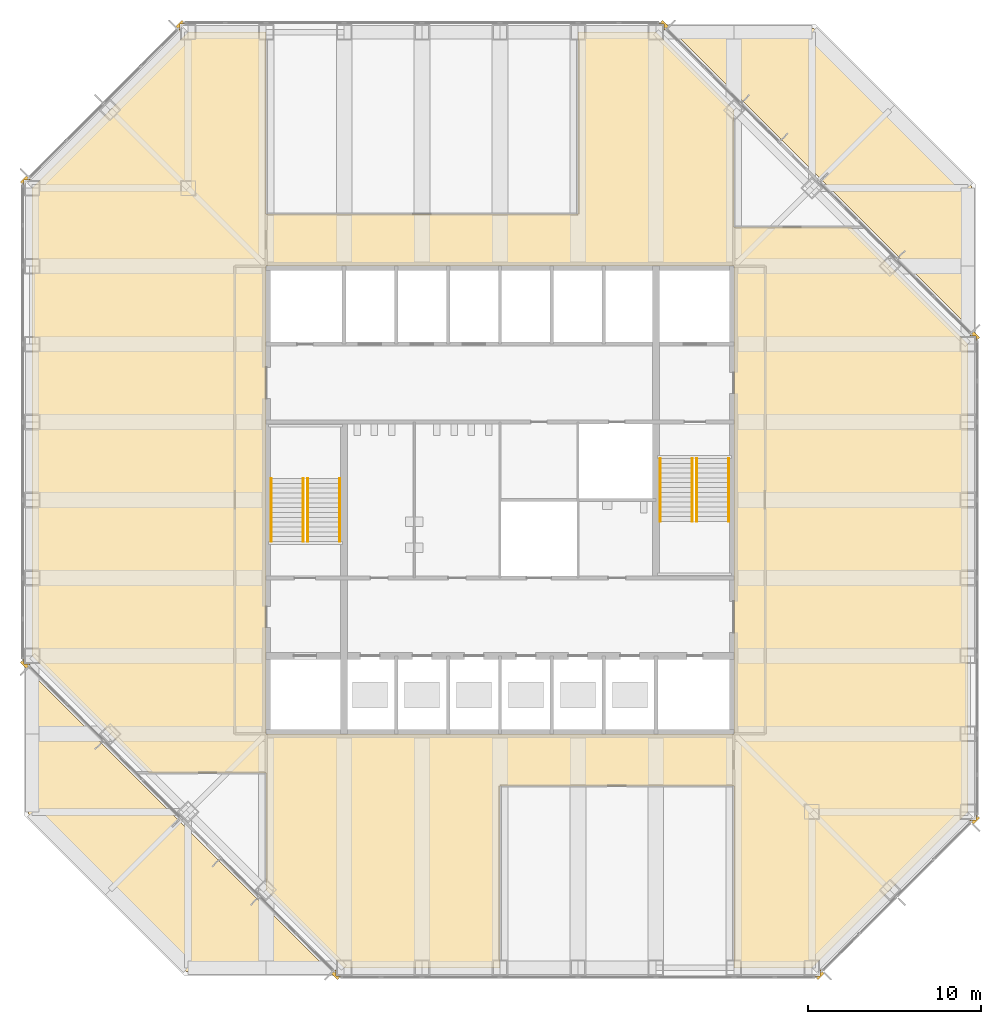
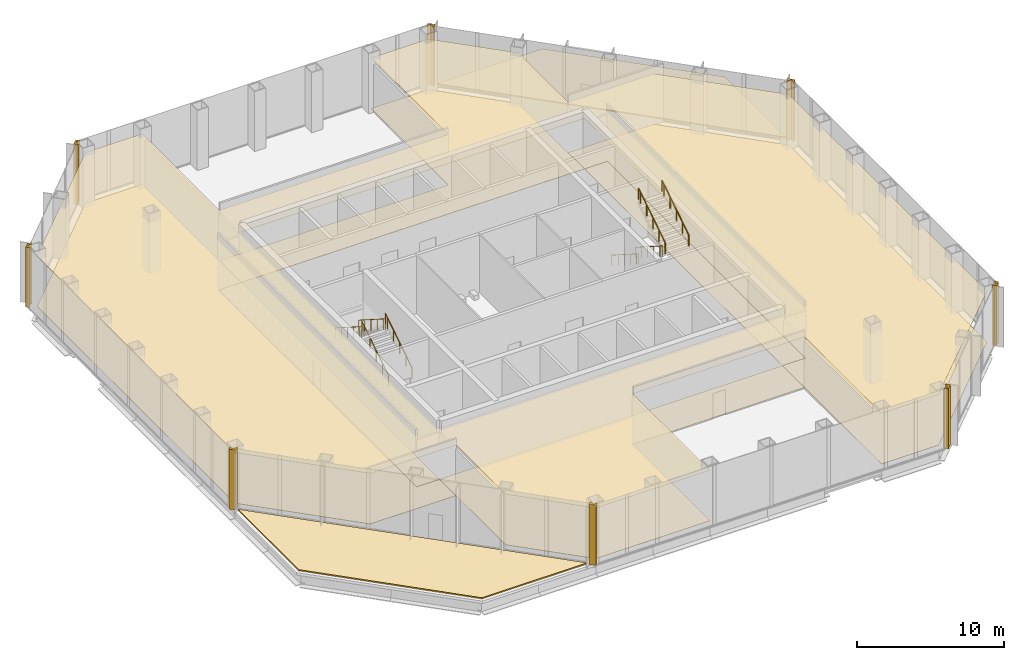
# One storey, part 10 of 12: 17 coverings, 8 railings.
"""IFC4 building model written with IfcOpenShell, lengths in metres."""

from ifc_helpers import new_model, si_unit, direction, frame, origin, origin_2d, place, context, subcontext, project, spatial, polyline, circle, outline, extrude, material, layer, layer_set, type_object, element, save


model = new_model("IFC4")

# Units and contexts
model_context = context("Model", 3, precision=1e-05, world=origin(), true_north=direction((0.0, 1.0)))
body_context = subcontext(model_context, "Body", "Model", "MODEL_VIEW")
ifc_project = project(units=[si_unit("LENGTHUNIT", "METRE"), si_unit("AREAUNIT", "SQUARE_METRE"), si_unit("VOLUMEUNIT", "CUBIC_METRE"), si_unit("PLANEANGLEUNIT", "RADIAN"), si_unit("MASSUNIT", "GRAM", prefix="KILO")], contexts=[model_context])

# Site, building, storey
site_placement = place(None, origin())
site = spatial("IfcSite", under=ifc_project, at=site_placement, CompositionType="ELEMENT")
building_placement = place(site_placement, origin())
building = spatial("IfcBuilding", under=site, at=building_placement, Name="Corais Broadcast Tower", CompositionType="ELEMENT")
storey_placement = place(building_placement, frame((0.0, 0.0, 110.60009765625)))
storey = spatial("IfcBuildingStorey", under=building, at=storey_placement, Name="L24", CompositionType="ELEMENT", Elevation=110.60009765625)

# Railings
ifc_material_1 = material(Name="Stainless steel handrail", Category="steel")
railing_type = type_object("IfcRailingType", Name="Handrail 920", PredefinedType="HANDRAIL", material=ifc_material_1)
for number, where, name in (
    (1, (17.75, 24.60009765625, 0.178466796875), "HR1 L24"),
    (2, (15.89990234375, 24.60009765625, 0.178466796875), "HR1 L24"),
):
    element("IfcRailing", number, at=place(storey_placement, frame(where)), inside=storey, type_object=railing_type, Name=name, PredefinedType="HANDRAIL", context=body_context, shape_type="SweptSolid", body=[
        extrude(circle(Radius=0.02392578125, at=origin_2d()), frame((0.0, 0.0, 0.89599609375), z_axis=(0.0, 0.843111507901, 0.53773877045), x_axis=(-1.0, 0.0, 0.0)), (0.0, 0.0, 1.0), 4.317138671875),
        extrude(circle(Radius=0.02099609375, at=origin_2d()), origin(), (0.0, 0.0, 1.0), 0.871826171875),
        extrude(circle(Radius=0.02099609375, at=origin_2d()), frame((0.0, 0.840087890625, 0.53564453125)), (0.0, 0.0, 1.0), 0.871826171875),
        extrude(circle(Radius=0.02099609375, at=origin_2d()), frame((0.0, 1.679931640625, 1.071533203125)), (0.0, 0.0, 1.0), 0.871826171875),
        extrude(circle(Radius=0.02099609375, at=origin_2d()), frame((0.0, 2.52001953125, 1.607177734375)), (0.0, 0.0, 1.0), 0.871826171875),
        extrude(circle(Radius=0.02099609375, at=origin_2d()), frame((0.0, 3.35986328125, 2.14306640625)), (0.0, 0.0, 1.0), 0.871826171875),
        extrude(circle(Radius=0.02099609375, at=origin_2d()), frame((0.0, 3.639892578125, 2.321533203125)), (0.0, 0.0, 1.0), 0.871826171875),
    ])
for number, where, name in (
    (3, (13.800048828125, 28.239990234375, 2.678466796875), "HR1 L24"),
    (4, (15.64990234375, 28.239990234375, 2.678466796875), "HR1 L24"),
    (5, (36.25, 29.39990234375, 0.178466796875), "HR1 L24"),
    (6, (38.10009765625, 29.39990234375, 0.178466796875), "HR1 L24"),
):
    element("IfcRailing", number, at=place(storey_placement, frame(where)), inside=storey, type_object=railing_type, Name=name, PredefinedType="HANDRAIL", context=body_context, shape_type="SweptSolid", body=[
        extrude(circle(Radius=0.02392578125, at=origin_2d()), frame((0.0, 0.0, 0.89599609375), z_axis=(0.0, -0.843111507901, 0.53773877045), x_axis=(1.0, 0.0, 0.0)), (0.0, 0.0, 1.0), 4.317138671875),
        extrude(circle(Radius=0.02099609375, at=origin_2d()), origin(), (0.0, 0.0, 1.0), 0.871826171875),
        extrude(circle(Radius=0.02099609375, at=origin_2d()), frame((0.0, -0.840087890625, 0.53564453125)), (0.0, 0.0, 1.0), 0.871826171875),
        extrude(circle(Radius=0.02099609375, at=origin_2d()), frame((0.0, -1.679931640625, 1.071533203125)), (0.0, 0.0, 1.0), 0.871826171875),
        extrude(circle(Radius=0.02099609375, at=origin_2d()), frame((0.0, -2.52001953125, 1.607177734375)), (0.0, 0.0, 1.0), 0.871826171875),
        extrude(circle(Radius=0.02099609375, at=origin_2d()), frame((0.0, -3.35986328125, 2.14306640625)), (0.0, 0.0, 1.0), 0.871826171875),
        extrude(circle(Radius=0.02099609375, at=origin_2d()), frame((0.0, -3.639892578125, 2.321533203125)), (0.0, 0.0, 1.0), 0.871826171875),
    ])
for number, where, name in (
    (7, (40.199951171875, 25.760009765625, 2.678466796875), "HR1 L24"),
    (8, (38.35009765625, 25.760009765625, 2.678466796875), "HR1 L24"),
):
    element("IfcRailing", number, at=place(storey_placement, frame(where)), inside=storey, type_object=railing_type, Name=name, PredefinedType="HANDRAIL", context=body_context, shape_type="SweptSolid", body=[
        extrude(circle(Radius=0.02392578125, at=origin_2d()), frame((0.0, 0.0, 0.89599609375), z_axis=(0.0, 0.843111507901, 0.53773877045), x_axis=(-1.0, 0.0, 0.0)), (0.0, 0.0, 1.0), 4.317138671875),
        extrude(circle(Radius=0.02099609375, at=origin_2d()), origin(), (0.0, 0.0, 1.0), 0.871826171875),
        extrude(circle(Radius=0.02099609375, at=origin_2d()), frame((0.0, 0.840087890625, 0.53564453125)), (0.0, 0.0, 1.0), 0.871826171875),
        extrude(circle(Radius=0.02099609375, at=origin_2d()), frame((0.0, 1.679931640625, 1.071533203125)), (0.0, 0.0, 1.0), 0.871826171875),
        extrude(circle(Radius=0.02099609375, at=origin_2d()), frame((0.0, 2.52001953125, 1.607177734375)), (0.0, 0.0, 1.0), 0.871826171875),
        extrude(circle(Radius=0.02099609375, at=origin_2d()), frame((0.0, 3.35986328125, 2.14306640625)), (0.0, 0.0, 1.0), 0.871826171875),
        extrude(circle(Radius=0.02099609375, at=origin_2d()), frame((0.0, 3.639892578125, 2.321533203125)), (0.0, 0.0, 1.0), 0.871826171875),
    ])

# Coverings
ifc_material_2 = material(Name="Bituminous waterproofing membrane, rigid insulation and paving", Category="bitumen")
ifc_layer_1 = layer(ifc_material_2, 0.10009765625)
ifc_layer_set_1 = layer_set([ifc_layer_1], Name="Bituminous waterproofing membrane, rigid insulation and paving")
covering_type_1 = type_object("IfcCoveringType", Name="Roofing membrane and paving 100", PredefinedType="ROOFING", material=ifc_layer_set_1)
covering_1_placement = place(storey_placement, origin())
element("IfcCovering", 9, at=covering_1_placement, inside=storey, type_object=covering_type_1, Name="RM1 roofing over L23 1, maintenance access only", PredefinedType="ROOFING", context=body_context, shape_type="SweptSolid", body=[
    extrude(outline(polyline([(-0.22998046875, 8.90478515625), (-0.22998046875, 17.197509765625), (17.197509765625, -0.22998046875), (8.90478515625, -0.22998046875), (-0.22998046875, 8.90478515625)])), origin(), (0.0, 0.0, 1.0), 0.099853515625),
])
covering_2_placement = place(storey_placement, origin())
element("IfcCovering", 10, at=covering_2_placement, inside=storey, type_object=covering_type_1, Name="RM1 roofing over L23 2, maintenance access only", PredefinedType="ROOFING", context=body_context, shape_type="SweptSolid", body=[
    extrude(outline(polyline([(45.09521484375, 54.22998046875), (54.22998046875, 45.09521484375), (54.22998046875, 36.802490234375), (36.802490234375, 54.22998046875), (45.09521484375, 54.22998046875)])), origin(), (0.0, 0.0, 1.0), 0.099853515625),
])
ifc_material_3 = material(Name="Granite stone cladding", Category="masonry")
ifc_layer_2 = layer(ifc_material_3, 0.324951171875)
ifc_layer_set_2 = layer_set([ifc_layer_2], Name="Granite stone cladding")
covering_type_2 = type_object("IfcCoveringType", Name="Stone corner pier cladding 500x325", PredefinedType="CLADDING", material=ifc_layer_set_2)
covering_3_placement = place(storey_placement, origin())
element("IfcCovering", 11, at=covering_3_placement, inside=storey, type_object=covering_type_2, Name="SP1 stone corner pier L24", PredefinedType="CLADDING", context=body_context, shape_type="SweptSolid", body=[
    extrude(outline(polyline([(17.630859375, -0.69140625), (17.84716796875, -0.47509765625), (17.52490234375, -0.47509765625), (17.52490234375, -0.1259765625), (17.507080078125, -0.108154296875), (17.277099609375, -0.337890625), (17.630859375, -0.69140625)])), origin(), (0.0, 0.0, 1.0), 5.0),
])
covering_4_placement = place(storey_placement, origin())
element("IfcCovering", 12, at=covering_4_placement, inside=storey, type_object=covering_type_2, Name="SP1 stone corner pier L24", PredefinedType="CLADDING", context=body_context, shape_type="SweptSolid", body=[
    extrude(outline(polyline([(-0.108154296875, 17.507080078125), (-0.1259765625, 17.52490234375), (-0.47509765625, 17.52490234375), (-0.47509765625, 17.84716796875), (-0.69140625, 17.630859375), (-0.337890625, 17.277099609375), (-0.108154296875, 17.507080078125)])), origin(), (0.0, 0.0, 1.0), 5.0),
])
covering_5_placement = place(storey_placement, origin())
element("IfcCovering", 13, at=covering_5_placement, inside=storey, type_object=covering_type_2, Name="SP1 stone corner pier L24", PredefinedType="CLADDING", context=body_context, shape_type="SweptSolid", body=[
    extrude(outline(polyline([(-0.69140625, 45.369140625), (-0.47509765625, 45.15283203125), (-0.47509765625, 45.47509765625), (-0.1259765625, 45.47509765625), (-0.108154296875, 45.492919921875), (-0.337890625, 45.722900390625), (-0.69140625, 45.369140625)])), origin(), (0.0, 0.0, 1.0), 5.0),
])
covering_6_placement = place(storey_placement, origin())
element("IfcCovering", 14, at=covering_6_placement, inside=storey, type_object=covering_type_2, Name="SP1 stone corner pier L24", PredefinedType="CLADDING", context=body_context, shape_type="SweptSolid", body=[
    extrude(outline(polyline([(8.507080078125, 54.108154296875), (8.52490234375, 54.1259765625), (8.52490234375, 54.47509765625), (8.84716796875, 54.47509765625), (8.630859375, 54.69140625), (8.277099609375, 54.337890625), (8.507080078125, 54.108154296875)])), origin(), (0.0, 0.0, 1.0), 5.0),
])
covering_7_placement = place(storey_placement, origin())
element("IfcCovering", 15, at=covering_7_placement, inside=storey, type_object=covering_type_2, Name="SP1 stone corner pier L24", PredefinedType="CLADDING", context=body_context, shape_type="SweptSolid", body=[
    extrude(outline(polyline([(36.369140625, 54.69140625), (36.15283203125, 54.47509765625), (36.47509765625, 54.47509765625), (36.47509765625, 54.1259765625), (36.492919921875, 54.108154296875), (36.722900390625, 54.337890625), (36.369140625, 54.69140625)])), origin(), (0.0, 0.0, 1.0), 5.0),
])
covering_8_placement = place(storey_placement, origin())
element("IfcCovering", 16, at=covering_8_placement, inside=storey, type_object=covering_type_2, Name="SP1 stone corner pier L24", PredefinedType="CLADDING", context=body_context, shape_type="SweptSolid", body=[
    extrude(outline(polyline([(54.108154296875, 36.492919921875), (54.1259765625, 36.47509765625), (54.47509765625, 36.47509765625), (54.47509765625, 36.15283203125), (54.69140625, 36.369140625), (54.337890625, 36.722900390625), (54.108154296875, 36.492919921875)])), origin(), (0.0, 0.0, 1.0), 5.0),
])
covering_9_placement = place(storey_placement, origin())
element("IfcCovering", 17, at=covering_9_placement, inside=storey, type_object=covering_type_2, Name="SP1 stone corner pier L24", PredefinedType="CLADDING", context=body_context, shape_type="SweptSolid", body=[
    extrude(outline(polyline([(54.69140625, 8.630859375), (54.47509765625, 8.84716796875), (54.47509765625, 8.52490234375), (54.1259765625, 8.52490234375), (54.108154296875, 8.507080078125), (54.337890625, 8.277099609375), (54.69140625, 8.630859375)])), origin(), (0.0, 0.0, 1.0), 5.0),
])
covering_10_placement = place(storey_placement, origin())
element("IfcCovering", 18, at=covering_10_placement, inside=storey, type_object=covering_type_2, Name="SP1 stone corner pier L24", PredefinedType="CLADDING", context=body_context, shape_type="SweptSolid", body=[
    extrude(outline(polyline([(45.492919921875, -0.108154296875), (45.47509765625, -0.1259765625), (45.47509765625, -0.47509765625), (45.15283203125, -0.47509765625), (45.369140625, -0.69140625), (45.722900390625, -0.337890625), (45.492919921875, -0.108154296875)])), origin(), (0.0, 0.0, 1.0), 5.0),
])
ifc_material_4 = material(Name="Granite stone flooring", Category="masonry")
ifc_layer_3 = layer(ifc_material_4, 0.030029296875)
ifc_layer_set_3 = layer_set([ifc_layer_3], Name="Granite stone flooring")
covering_type_3 = type_object("IfcCoveringType", Name="Stone floor finish", PredefinedType="FLOORING", material=ifc_layer_set_3)
covering_11_placement = place(storey_placement, origin())
element("IfcCovering", 19, at=covering_11_placement, inside=storey, type_object=covering_type_3, Name="FF1 floor finish L24", PredefinedType="FLOORING", context=body_context, shape_type="SweptSolid", body=[
    extrude(outline(polyline([(31.5, 43.5), (31.5, 54.0), (36.0, 54.0), (40.5, 49.5), (40.5, 42.75), (40.5, 40.5), (13.5, 40.5), (13.5, 43.5), (31.5, 43.5)])), origin(), (0.0, 0.0, 1.0), 0.02978515625),
])
covering_12_placement = place(storey_placement, origin())
element("IfcCovering", 20, at=covering_12_placement, inside=storey, type_object=covering_type_3, Name="FF1 floor finish L24", PredefinedType="FLOORING", context=body_context, shape_type="SweptSolid", body=[
    extrude(outline(polyline([(47.25, 42.75), (54.0, 36.0), (54.0, 9.0), (45.0, 0.0), (40.5, 0.0), (40.5, 10.5), (40.5, 13.5), (42.300048828125, 13.5), (42.300048828125, 40.5), (40.5, 40.5), (40.5, 42.75), (47.25, 42.75)])), origin(), (0.0, 0.0, 1.0), 0.02978515625),
])
covering_13_placement = place(storey_placement, origin())
element("IfcCovering", 21, at=covering_13_placement, inside=storey, type_object=covering_type_3, Name="FF1 floor finish L24", PredefinedType="FLOORING", context=body_context, shape_type="SweptSolid", body=[
    extrude(outline(polyline([(27.0, 10.5), (27.0, 0.0), (18.0, 0.0), (13.5, 4.5), (13.5, 11.25), (13.5, 13.5), (40.5, 13.5), (40.5, 10.5), (27.0, 10.5)])), origin(), (0.0, 0.0, 1.0), 0.02978515625),
])
covering_14_placement = place(storey_placement, origin())
element("IfcCovering", 22, at=covering_14_placement, inside=storey, type_object=covering_type_3, Name="FF1 floor finish L24", PredefinedType="FLOORING", context=body_context, shape_type="SweptSolid", body=[
    extrude(outline(polyline([(13.5, 54.0), (13.5, 43.5), (13.5, 40.5), (11.699951171875, 40.5), (11.699951171875, 13.5), (13.5, 13.5), (13.5, 11.25), (6.75, 11.25), (0.0, 18.0), (0.0, 45.0), (9.0, 54.0), (13.5, 54.0)])), origin(), (0.0, 0.0, 1.0), 0.02978515625),
])
covering_15_placement = place(storey_placement, origin())
element("IfcCovering", 23, at=covering_15_placement, inside=storey, type_object=covering_type_3, Name="FF1 floor finish L24", PredefinedType="FLOORING", context=body_context, shape_type="SweptSolid", body=[
    extrude(outline(polyline([(11.699951171875, 13.5), (11.699951171875, 40.5), (13.5, 40.5), (13.5, 13.5), (11.699951171875, 13.5)])), origin(), (0.0, 0.0, 1.0), 0.02978515625),
])
covering_16_placement = place(storey_placement, origin())
element("IfcCovering", 24, at=covering_16_placement, inside=storey, type_object=covering_type_3, Name="FF1 floor finish L24", PredefinedType="FLOORING", context=body_context, shape_type="SweptSolid", body=[
    extrude(outline(polyline([(42.300048828125, 40.5), (42.300048828125, 13.5), (40.5, 13.5), (40.5, 40.5), (42.300048828125, 40.5)])), origin(), (0.0, 0.0, 1.0), 0.02978515625),
])
ifc_material_5 = material(Name="Mineral fibre ceiling tile", Category="mineral")
ifc_layer_4 = layer(ifc_material_5, 0.02001953125)
ifc_layer_set_4 = layer_set([ifc_layer_4], Name="Mineral fibre ceiling tile")
covering_type_4 = type_object("IfcCoveringType", Name="Suspended ceiling", PredefinedType="CEILING", material=ifc_layer_set_4)
covering_17_placement = place(storey_placement, frame((0.0, 0.0, 4.219970703125)))
element("IfcCovering", 25, at=covering_17_placement, inside=storey, type_object=covering_type_4, Name="CE1 ceiling L24", PredefinedType="CEILING", context=body_context, shape_type="SweptSolid", body=[
    extrude(outline(polyline([(18.0, 0.0), (13.5, 4.5), (13.5, 11.25), (6.75, 11.25), (0.0, 18.0), (0.0, 45.0), (9.0, 54.0), (13.5, 54.0), (13.5, 43.5), (31.5, 43.5), (31.5, 54.0), (36.0, 54.0), (40.5, 49.5), (40.5, 42.75), (47.25, 42.75), (54.0, 36.0), (54.0, 9.0), (45.0, 0.0), (40.5, 0.0), (40.5, 10.5), (27.0, 10.5), (27.0, 0.0), (18.0, 0.0)]), holes=[polyline([(13.5, 13.5), (40.5, 13.5), (40.5, 40.5), (13.5, 40.5), (13.5, 13.5)])]), origin(), (0.0, 0.0, 1.0), 0.02001953125),
])

save(model, "model.ifc")
